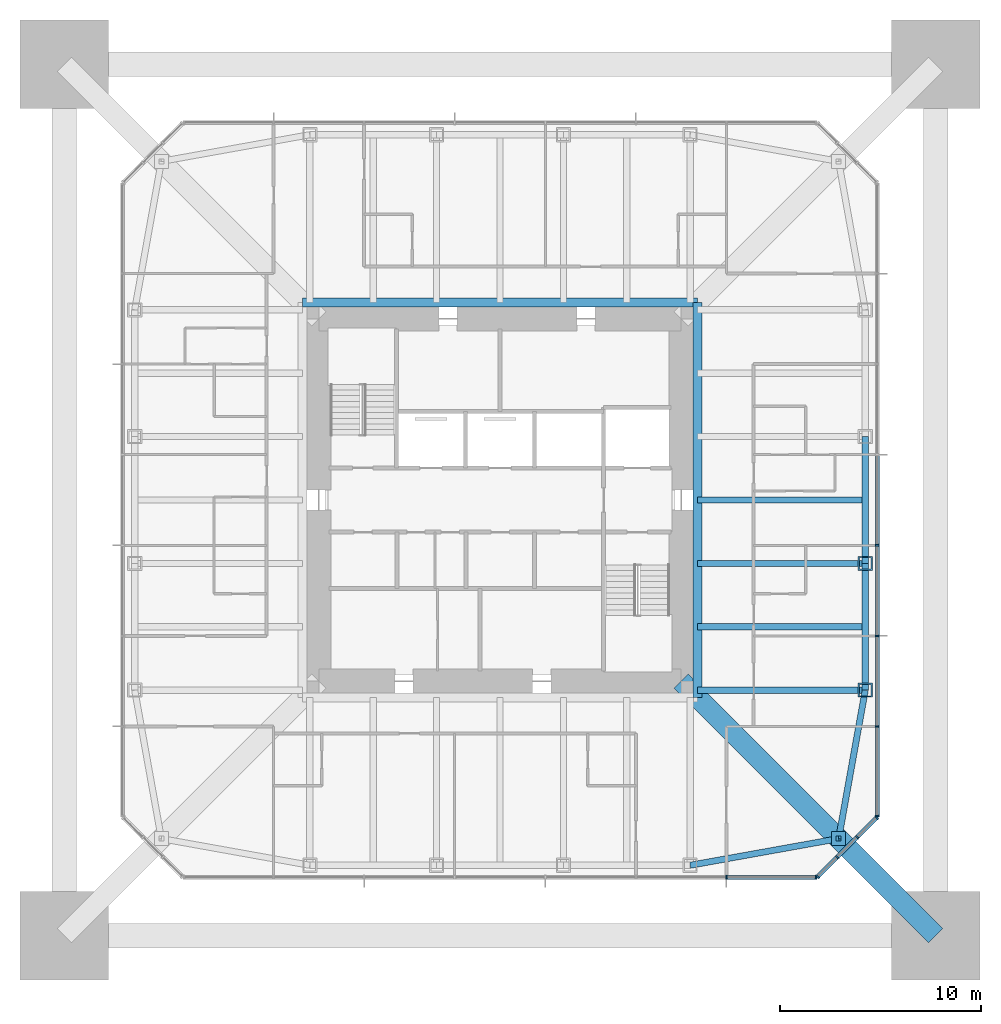
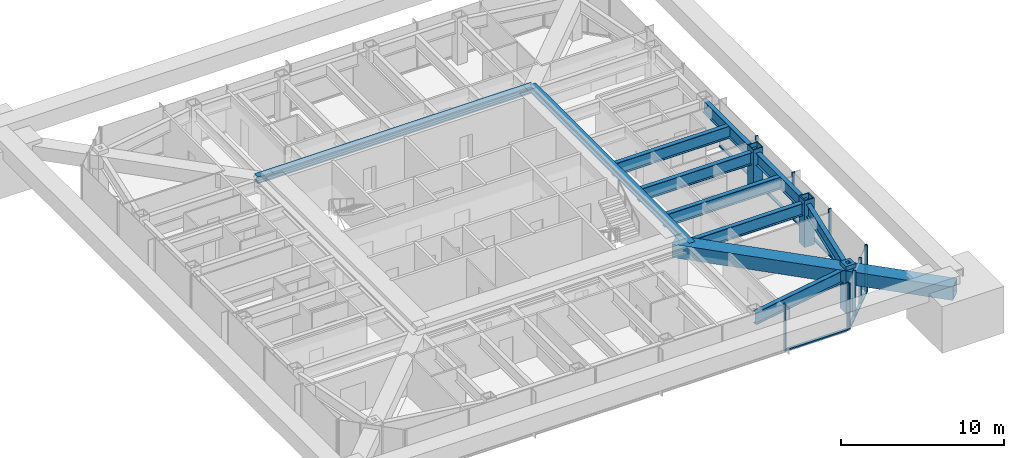
# One storey, part 5 of 15: 23 members, 10 beams, 3 elements without a shape of their own.
"""IFC4 building model written with IfcOpenShell, lengths in metres."""

from ifc_helpers import new_model, si_unit, direction, frame, origin, origin_2d, place, context, subcontext, project, spatial, rectangle, hollow_rectangle, i_section, extrude, material, material_profile, profile_set, type_object, element, aggregate, save


model = new_model("IFC4")

# Units and contexts
model_context = context("Model", 3, precision=1e-05, world=origin(), true_north=direction((0.0, 1.0)))
body_context = subcontext(model_context, "Body", "Model", "MODEL_VIEW")
ifc_project = project(units=[si_unit("LENGTHUNIT", "METRE"), si_unit("AREAUNIT", "SQUARE_METRE"), si_unit("VOLUMEUNIT", "CUBIC_METRE"), si_unit("PLANEANGLEUNIT", "RADIAN"), si_unit("MASSUNIT", "GRAM", prefix="KILO")], contexts=[model_context])

# Site, building, storey
site_placement = place(None, origin())
site = spatial("IfcSite", under=ifc_project, at=site_placement, CompositionType="ELEMENT")
building_placement = place(site_placement, origin())
building = spatial("IfcBuilding", under=site, at=building_placement, Name="Iwan Alto Co-Living Towers", CompositionType="ELEMENT")
storey_placement = place(building_placement, frame((0.0, 0.0, 205.5)))
storey = spatial("IfcBuildingStorey", under=building, at=storey_placement, Name="L56", CompositionType="ELEMENT", Elevation=205.5)

# Curtain wall, members
ifc_material_1 = material(Name="Bronze aluminium unitised frame", Category="aluminium")
curtain_wall_type_1 = type_object("IfcCurtainWallType", Name="CURTAIN WALL CW-A", PredefinedType="NOTDEFINED", material=ifc_material_1)
curtain_wall_1_placement = place(storey_placement, origin())
curtain_wall_1 = element("IfcCurtainWall", 1, at=curtain_wall_1_placement, inside=storey, type_object=curtain_wall_type_1, Name="T1 curtain wall S L56", PredefinedType="NOTDEFINED")
ifc_material_2 = material(Name="Aluminium 6063-T6 bronze anodised", Category="aluminium")
ifc_material_profile_1 = material_profile(ifc_material_2, rectangle(XDim=0.199951171875, YDim=0.080078125, at=origin_2d()), Name="AL 80X200")
ifc_profile_set_1 = profile_set([ifc_material_profile_1], Name="Aluminium 6063-T6 bronze anodised")
member_type_1 = type_object("IfcMemberType", Name="CW-A MULLION 80X200", PredefinedType="MULLION", material=ifc_profile_set_1)
member_1_placement = place(storey_placement, frame((11.25, -18.75, 0.0), z_axis=(0.0, 0.0, 1.0), x_axis=(0.0, 1.0, 0.0)))
member_1 = element("IfcMember", 2, at=member_1_placement, type_object=member_type_1, Name="CW-A mullion 7", PredefinedType="MULLION", context=body_context, shape_type="SweptSolid", body=[
    extrude(rectangle(XDim=0.199951171875, YDim=0.080078125, at=origin_2d()), origin(), (0.0, 0.0, 1.0), 3.5),
])
member_2_placement = place(storey_placement, frame((15.7099609375, -18.75, 0.0), z_axis=(0.0, 0.0, 1.0), x_axis=(0.0, 1.0, 0.0)))
member_2 = element("IfcMember", 3, at=member_2_placement, type_object=member_type_1, Name="CW-A mullion 8", PredefinedType="MULLION", context=body_context, shape_type="SweptSolid", body=[
    extrude(rectangle(XDim=0.199951171875, YDim=0.080078125, at=origin_2d()), origin(), (0.0, 0.0, 1.0), 3.5),
])

curtain_wall_2_placement = place(storey_placement, origin())
curtain_wall_2 = element("IfcCurtainWall", 4, at=curtain_wall_2_placement, inside=storey, type_object=curtain_wall_type_1, Name="T1 curtain wall E L56", PredefinedType="NOTDEFINED")
member_3_placement = place(storey_placement, frame((18.75, -15.7099609375, 0.0), z_axis=(0.0, 0.0, 1.0), x_axis=(-1.0, 0.0, 0.0)))
member_3 = element("IfcMember", 5, at=member_3_placement, type_object=member_type_1, Name="CW-A mullion 1", PredefinedType="MULLION", context=body_context, shape_type="SweptSolid", body=[
    extrude(rectangle(XDim=0.199951171875, YDim=0.080078125, at=origin_2d()), origin(), (0.0, 0.0, 1.0), 3.5),
])
member_4_placement = place(storey_placement, frame((18.75, -11.25, 0.0), z_axis=(0.0, 0.0, 1.0), x_axis=(-1.0, 0.0, 0.0)))
member_4 = element("IfcMember", 6, at=member_4_placement, type_object=member_type_1, Name="CW-A mullion 2", PredefinedType="MULLION", context=body_context, shape_type="SweptSolid", body=[
    extrude(rectangle(XDim=0.199951171875, YDim=0.080078125, at=origin_2d()), origin(), (0.0, 0.0, 1.0), 3.5),
])
member_5_placement = place(storey_placement, frame((18.75, -6.75, 0.0), z_axis=(0.0, 0.0, 1.0), x_axis=(-1.0, 0.0, 0.0)))
member_5 = element("IfcMember", 7, at=member_5_placement, type_object=member_type_1, Name="CW-A mullion 3", PredefinedType="MULLION", context=body_context, shape_type="SweptSolid", body=[
    extrude(rectangle(XDim=0.199951171875, YDim=0.080078125, at=origin_2d()), origin(), (0.0, 0.0, 1.0), 3.5),
])
member_6_placement = place(storey_placement, frame((18.75, -2.25, 0.0), z_axis=(0.0, 0.0, 1.0), x_axis=(-1.0, 0.0, 0.0)))
member_6 = element("IfcMember", 8, at=member_6_placement, type_object=member_type_1, Name="CW-A mullion 4", PredefinedType="MULLION", context=body_context, shape_type="SweptSolid", body=[
    extrude(rectangle(XDim=0.199951171875, YDim=0.080078125, at=origin_2d()), origin(), (0.0, 0.0, 1.0), 3.5),
])

# Member
ifc_material_3 = material(Name="Aluminium 6063-T6 bronze anodised", Category="aluminium")
ifc_material_profile_2 = material_profile(ifc_material_3, rectangle(XDim=0.199951171875, YDim=0.10009765625, at=origin_2d()), Name="AL 200X100")
ifc_profile_set_2 = profile_set([ifc_material_profile_2], Name="Aluminium 6063-T6 bronze anodised")
member_type_2 = type_object("IfcMemberType", Name="CW-A TRANSOM 200X100", PredefinedType="USERDEFINED", material=ifc_profile_set_2)
member_7_placement = place(storey_placement, frame((11.2900390625, -18.75, 0.050048828125), z_axis=(1.0, 0.0, 0.0), x_axis=(0.0, 1.0, 0.0)))
member_7 = element("IfcMember", 9, at=member_7_placement, type_object=member_type_2, Name="CW-A transom 7.1", ObjectType="TRANSOM", PredefinedType="USERDEFINED", context=body_context, shape_type="SweptSolid", body=[
    extrude(rectangle(XDim=0.199951171875, YDim=0.10009765625, at=origin_2d()), origin(), (0.0, 0.0, 1.0), 4.3798828125),
])

aggregate(curtain_wall_1, [member_1, member_2, member_7])

member_8_placement = place(storey_placement, frame((18.75, -15.669921875, 0.050048828125), z_axis=(0.0, 1.0, 0.0), x_axis=(-1.0, 0.0, 0.0)))
member_8 = element("IfcMember", 10, at=member_8_placement, type_object=member_type_2, Name="CW-A transom 1.1", ObjectType="TRANSOM", PredefinedType="USERDEFINED", context=body_context, shape_type="SweptSolid", body=[
    extrude(rectangle(XDim=0.199951171875, YDim=0.10009765625, at=origin_2d()), origin(), (0.0, 0.0, 1.0), 4.3798828125),
])

member_9_placement = place(storey_placement, frame((18.75, -11.2099609375, 0.050048828125), z_axis=(0.0, 1.0, 0.0), x_axis=(-1.0, 0.0, 0.0)))
member_9 = element("IfcMember", 11, at=member_9_placement, type_object=member_type_2, Name="CW-A transom 2.1", ObjectType="TRANSOM", PredefinedType="USERDEFINED", context=body_context, shape_type="SweptSolid", body=[
    extrude(rectangle(XDim=0.199951171875, YDim=0.10009765625, at=origin_2d()), origin(), (0.0, 0.0, 1.0), 4.419921875),
])

member_10_placement = place(storey_placement, frame((18.75, -6.7099609375, 0.050048828125), z_axis=(0.0, 1.0, 0.0), x_axis=(-1.0, 0.0, 0.0)))
member_10 = element("IfcMember", 12, at=member_10_placement, type_object=member_type_2, Name="CW-A transom 3.1", ObjectType="TRANSOM", PredefinedType="USERDEFINED", context=body_context, shape_type="SweptSolid", body=[
    extrude(rectangle(XDim=0.199951171875, YDim=0.10009765625, at=origin_2d()), origin(), (0.0, 0.0, 1.0), 4.419921875),
])

member_11_placement = place(storey_placement, frame((18.75, -2.2099609375, 0.050048828125), z_axis=(0.0, 1.0, 0.0), x_axis=(-1.0, 0.0, 0.0)))
member_11 = element("IfcMember", 13, at=member_11_placement, type_object=member_type_2, Name="CW-A transom 4.1", ObjectType="TRANSOM", PredefinedType="USERDEFINED", context=body_context, shape_type="SweptSolid", body=[
    extrude(rectangle(XDim=0.199951171875, YDim=0.10009765625, at=origin_2d()), origin(), (0.0, 0.0, 1.0), 4.419921875),
])

aggregate(curtain_wall_2, [member_3, member_4, member_5, member_6, member_8, member_9, member_10, member_11])

# Curtain wall, members
ifc_material_4 = material(Name="Bronze aluminium unitised frame", Category="aluminium")
curtain_wall_type_2 = type_object("IfcCurtainWallType", Name="CURTAIN WALL CW-B", PredefinedType="NOTDEFINED", material=ifc_material_4)
curtain_wall_3_placement = place(storey_placement, origin())
curtain_wall_3 = element("IfcCurtainWall", 14, at=curtain_wall_3_placement, inside=storey, type_object=curtain_wall_type_2, Name="T1 chamfer curtain wall SE L56", PredefinedType="NOTDEFINED")
ifc_material_5 = material(Name="Aluminium 6063-T6 bronze anodised", Category="aluminium")
ifc_material_profile_3 = material_profile(ifc_material_5, rectangle(XDim=0.199951171875, YDim=0.080078125, at=origin_2d()), Name="AL 80X200")
ifc_profile_set_3 = profile_set([ifc_material_profile_3], Name="Aluminium 6063-T6 bronze anodised")
member_type_3 = type_object("IfcMemberType", Name="CW-B MULLION 80X200", PredefinedType="MULLION", material=ifc_profile_set_3)
member_12_placement = place(storey_placement, frame((15.7783203125, -18.7216796875, 0.0), z_axis=(0.0, 0.0, 1.0), x_axis=(-0.707106781187, 0.707106781187, 0.0)))
member_12 = element("IfcMember", 15, at=member_12_placement, type_object=member_type_3, Name="CW-B mullion 1", PredefinedType="MULLION", context=body_context, shape_type="SweptSolid", body=[
    extrude(rectangle(XDim=0.199951171875, YDim=0.080078125, at=origin_2d()), origin(), (0.0, 0.0, 1.0), 3.5),
])
member_13_placement = place(storey_placement, frame((16.75, -17.75, 0.0), z_axis=(0.0, 0.0, 1.0), x_axis=(-0.707106781187, 0.707106781187, 0.0)))
member_13 = element("IfcMember", 16, at=member_13_placement, type_object=member_type_3, Name="CW-B mullion 2", PredefinedType="MULLION", context=body_context, shape_type="SweptSolid", body=[
    extrude(rectangle(XDim=0.199951171875, YDim=0.080078125, at=origin_2d()), origin(), (0.0, 0.0, 1.0), 3.5),
])
member_14_placement = place(storey_placement, frame((17.75, -16.75, 0.0), z_axis=(0.0, 0.0, 1.0), x_axis=(-0.707106781187, 0.707106781187, 0.0)))
member_14 = element("IfcMember", 17, at=member_14_placement, type_object=member_type_3, Name="CW-B mullion 3", PredefinedType="MULLION", context=body_context, shape_type="SweptSolid", body=[
    extrude(rectangle(XDim=0.199951171875, YDim=0.080078125, at=origin_2d()), origin(), (0.0, 0.0, 1.0), 3.5),
])
member_15_placement = place(storey_placement, frame((18.7216796875, -15.7783203125, 0.0), z_axis=(0.0, 0.0, 1.0), x_axis=(-0.707106781187, 0.707106781187, 0.0)))
member_15 = element("IfcMember", 18, at=member_15_placement, type_object=member_type_3, Name="CW-B mullion 4", PredefinedType="MULLION", context=body_context, shape_type="SweptSolid", body=[
    extrude(rectangle(XDim=0.199951171875, YDim=0.080078125, at=origin_2d()), origin(), (0.0, 0.0, 1.0), 3.5),
])
ifc_material_6 = material(Name="Aluminium 6063-T6 bronze anodised", Category="aluminium")
ifc_material_profile_4 = material_profile(ifc_material_6, rectangle(XDim=0.199951171875, YDim=0.10009765625, at=origin_2d()), Name="AL 200X100")
ifc_profile_set_4 = profile_set([ifc_material_profile_4], Name="Aluminium 6063-T6 bronze anodised")
member_type_4 = type_object("IfcMemberType", Name="CW-B TRANSOM 200X100", PredefinedType="USERDEFINED", material=ifc_profile_set_4)
member_16_placement = place(storey_placement, frame((15.806640625, -18.693359375, 0.050048828125), z_axis=(0.707106781187, 0.707106781187, 0.0), x_axis=(-0.707106781187, 0.707106781187, 0.0)))
member_16 = element("IfcMember", 19, at=member_16_placement, type_object=member_type_4, Name="CW-B transom 1.1", ObjectType="TRANSOM", PredefinedType="USERDEFINED", context=body_context, shape_type="SweptSolid", body=[
    extrude(rectangle(XDim=0.199951171875, YDim=0.10009765625, at=origin_2d()), origin(), (0.0, 0.0, 1.0), 1.2939453125),
])
member_17_placement = place(storey_placement, frame((16.7783203125, -17.7216796875, 0.050048828125), z_axis=(0.707106781187, 0.707106781187, 0.0), x_axis=(-0.707106781187, 0.707106781187, 0.0)))
member_17 = element("IfcMember", 20, at=member_17_placement, type_object=member_type_4, Name="CW-B transom 2.1", ObjectType="TRANSOM", PredefinedType="USERDEFINED", context=body_context, shape_type="SweptSolid", body=[
    extrude(rectangle(XDim=0.199951171875, YDim=0.10009765625, at=origin_2d()), origin(), (0.0, 0.0, 1.0), 1.334228515625),
])
member_18_placement = place(storey_placement, frame((17.7783203125, -16.7216796875, 0.050048828125), z_axis=(0.707106781187, 0.707106781187, 0.0), x_axis=(-0.707106781187, 0.707106781187, 0.0)))
member_18 = element("IfcMember", 21, at=member_18_placement, type_object=member_type_4, Name="CW-B transom 3.1", ObjectType="TRANSOM", PredefinedType="USERDEFINED", context=body_context, shape_type="SweptSolid", body=[
    extrude(rectangle(XDim=0.199951171875, YDim=0.10009765625, at=origin_2d()), origin(), (0.0, 0.0, 1.0), 1.2939453125),
])
aggregate(curtain_wall_3, [member_12, member_13, member_14, member_15, member_16, member_17, member_18])

# Beams
ifc_material_7 = material(Name="Steel ASTM A992 Gr 50", Category="steel")
ifc_material_profile_5 = material_profile(ifc_material_7, i_section(OverallWidth=0.307373046875, OverallDepth=0.927001953125, WebThickness=0.01953125, FlangeThickness=0.031982421875, at=origin_2d()), Name="W36X194")
ifc_profile_set_5 = profile_set([ifc_material_profile_5], Name="Steel ASTM A992 Gr 50")
beam_type_1 = type_object("IfcBeamType", Name="T1 BELT TRUSS CHORD W36X194", PredefinedType="BEAM", material=ifc_profile_set_5)
for number, where, z_axis, x_axis, name in (
    (22, (9.449951171875, -18.14990234375, 2.736328125), (0.98426263553, 0.17671181143, 0.0), (-0.17671181143, 0.98426263553, 0.0), "T1 edge beam S4 L57"),
    (23, (16.82568359375, -16.82568359375, 2.736328125), (0.17671181143, 0.98426263553, 0.0), (-0.98426263553, 0.17671181143, 0.0), "T1 edge beam CSE L57"),
):
    element("IfcBeam", number, at=place(storey_placement, frame(where, z_axis=z_axis, x_axis=x_axis)), inside=storey, type_object=beam_type_1, Name=name, PredefinedType="BEAM", context=body_context, shape_type="SweptSolid", body=[
        extrude(i_section(OverallWidth=0.307373046875, OverallDepth=0.927001953125, WebThickness=0.01953125, FlangeThickness=0.031982421875, at=origin_2d()), origin(), (0.0, 0.0, 1.0), 7.49365234375),
    ])
beam_1_placement = place(storey_placement, frame((18.14990234375, -9.449951171875, 2.736328125), z_axis=(0.0, 1.0, 0.0), x_axis=(-1.0, 0.0, 0.0)))
element("IfcBeam", 24, at=beam_1_placement, inside=storey, type_object=beam_type_1, Name="T1 edge beam E1 L57", PredefinedType="BEAM", context=body_context, shape_type="SweptSolid", body=[
    extrude(i_section(OverallWidth=0.307373046875, OverallDepth=0.927001953125, WebThickness=0.01953125, FlangeThickness=0.031982421875, at=origin_2d()), origin(), (0.0, 0.0, 1.0), 6.300048828125),
])
beam_2_placement = place(storey_placement, frame((18.14990234375, -3.14990234375, 2.736328125), z_axis=(0.0, 1.0, 0.0), x_axis=(-1.0, 0.0, 0.0)))
element("IfcBeam", 25, at=beam_2_placement, inside=storey, type_object=beam_type_1, Name="T1 edge beam E2 L57", PredefinedType="BEAM", context=body_context, shape_type="SweptSolid", body=[
    extrude(i_section(OverallWidth=0.307373046875, OverallDepth=0.927001953125, WebThickness=0.01953125, FlangeThickness=0.031982421875, at=origin_2d()), origin(), (0.0, 0.0, 1.0), 6.2998046875),
])
ifc_material_8 = material(Name="Steel ASTM A992 Gr 50", Category="steel")
ifc_material_profile_6 = material_profile(ifc_material_8, i_section(OverallWidth=0.436767578125, OverallDepth=0.51318359375, WebThickness=0.060546875, FlangeThickness=0.096923828125, at=origin_2d()), Name="W14X550")
ifc_profile_set_6 = profile_set([ifc_material_profile_6], Name="Steel ASTM A992 Gr 50")
beam_type_2 = type_object("IfcBeamType", Name="T1 CORE LEDGER BEAM W14X550", PredefinedType="BEAM", material=ifc_profile_set_6)
for number, where, z_axis, x_axis, name in (
    (26, (9.818359375, -9.818359375, 2.943359375), (0.0, 1.0, 0.0), (-1.0, 0.0, 0.0), "T1 core ledger beam E L57"),
    (27, (9.818359375, 9.818359375, 2.943359375), (-1.0, 0.0, 0.0), (0.0, -1.0, 0.0), "T1 core ledger beam N L57"),
):
    element("IfcBeam", number, at=place(storey_placement, frame(where, z_axis=z_axis, x_axis=x_axis)), inside=storey, type_object=beam_type_2, Name=name, PredefinedType="BEAM", context=body_context, shape_type="SweptSolid", body=[
        extrude(i_section(OverallWidth=0.436767578125, OverallDepth=0.51318359375, WebThickness=0.060546875, FlangeThickness=0.096923828125, at=origin_2d()), origin(), (0.0, 0.0, 1.0), 19.63671875),
    ])

# Members
ifc_material_9 = material(Name="Steel ASTM A36", Category="steel")
ifc_material_profile_7 = material_profile(ifc_material_9, hollow_rectangle(XDim=0.699951171875, YDim=0.699951171875, WallThickness=0.219970703125, at=origin_2d()), Name="BOX 700X700X220")
ifc_profile_set_7 = profile_set([ifc_material_profile_7], Name="Steel ASTM A36")
member_type_5 = type_object("IfcMemberType", Name="T1 HEAVY RING POST AT STEP BOX 700X700X220", PredefinedType="MEMBER", material=ifc_profile_set_7)
member_19_placement = place(storey_placement, frame((16.82568359375, -16.82568359375, 0.0), z_axis=(0.0, 0.0, 1.0), x_axis=(1.0, 0.0, 0.0)))
element("IfcMember", 28, at=member_19_placement, inside=storey, type_object=member_type_5, Name="T1 ring post at step CSE L56", PredefinedType="MEMBER", context=body_context, shape_type="SweptSolid", body=[
    extrude(hollow_rectangle(XDim=0.699951171875, YDim=0.699951171875, WallThickness=0.219970703125, at=origin_2d()), origin(), (0.0, 0.0, 1.0), 3.5),
])
ifc_material_10 = material(Name="Steel ASTM A572 Gr 50", Category="steel")
ifc_material_profile_8 = material_profile(ifc_material_10, hollow_rectangle(XDim=1.0, YDim=1.0, WallThickness=0.070068359375, at=origin_2d()), Name="BOX 1000X1000X70")
ifc_profile_set_8 = profile_set([ifc_material_profile_8], Name="Steel ASTM A572 Gr 50")
member_type_6 = type_object("IfcMemberType", Name="T1 OUTRIGGER CHORD BOX 1000X1000X70", PredefinedType="CHORD", material=ifc_profile_set_8)
member_20_placement = place(storey_placement, frame((9.0, -9.0, 2.699951171875), z_axis=(0.707106781187, -0.707106781187, 0.0), x_axis=(0.707106781187, 0.707106781187, 0.0)))
element("IfcMember", 29, at=member_20_placement, inside=storey, type_object=member_type_6, Name="T1 outrigger SE L57 bottom chord 1", PredefinedType="CHORD", context=body_context, shape_type="SweptSolid", body=[
    extrude(hollow_rectangle(XDim=1.0, YDim=1.0, WallThickness=0.070068359375, at=origin_2d()), origin(), (0.0, 0.0, 1.0), 11.067138671875),
])
member_21_placement = place(storey_placement, frame((16.82568359375, -16.82568359375, 2.699951171875), z_axis=(0.707106781187, -0.707106781187, 0.0), x_axis=(0.707106781187, 0.707106781187, 0.0)))
element("IfcMember", 30, at=member_21_placement, inside=storey, type_object=member_type_6, Name="T1 outrigger SE L57 bottom chord 2", PredefinedType="CHORD", context=body_context, shape_type="SweptSolid", body=[
    extrude(hollow_rectangle(XDim=1.0, YDim=1.0, WallThickness=0.070068359375, at=origin_2d()), origin(), (0.0, 0.0, 1.0), 6.822509765625),
])

# Beams
ifc_material_11 = material(Name="Steel ASTM A992 Gr 50", Category="steel")
ifc_material_profile_9 = material_profile(ifc_material_11, i_section(OverallWidth=0.307373046875, OverallDepth=0.927001953125, WebThickness=0.01953125, FlangeThickness=0.031982421875, at=origin_2d()), Name="W36X194")
ifc_profile_set_9 = profile_set([ifc_material_profile_9], Name="Steel ASTM A992 Gr 50")
beam_type_3 = type_object("IfcBeamType", Name="T1 RADIAL BEAM W36X194", PredefinedType="BEAM", material=ifc_profile_set_9)
for number, where, z_axis, x_axis, name in (
    (31, (18.14990234375, -9.449951171875, 2.736328125), (-1.0, 0.0, 0.0), (0.0, -1.0, 0.0), "T1 radial beam E1 L57"),
    (32, (18.14990234375, -3.14990234375, 2.736328125), (-1.0, 0.0, 0.0), (0.0, -1.0, 0.0), "T1 radial beam E2 L57"),
):
    element("IfcBeam", number, at=place(storey_placement, frame(where, z_axis=z_axis, x_axis=x_axis)), inside=storey, type_object=beam_type_3, Name=name, PredefinedType="BEAM", context=body_context, shape_type="SweptSolid", body=[
        extrude(i_section(OverallWidth=0.307373046875, OverallDepth=0.927001953125, WebThickness=0.01953125, FlangeThickness=0.031982421875, at=origin_2d()), origin(), (0.0, 0.0, 1.0), 8.33154296875),
    ])

# Members
ifc_material_12 = material(Name="Steel ASTM A572 Gr 50", Category="steel")
ifc_material_profile_10 = material_profile(ifc_material_12, hollow_rectangle(XDim=0.699951171875, YDim=0.699951171875, WallThickness=0.06005859375, at=origin_2d()), Name="BOX 700X700X60")
ifc_profile_set_10 = profile_set([ifc_material_profile_10], Name="Steel ASTM A572 Gr 50")
member_type_7 = type_object("IfcMemberType", Name="T1 RING POST AT STEP BOX 700X700X60", PredefinedType="MEMBER", material=ifc_profile_set_10)
for number, where, z_axis, x_axis, name in (
    (33, (18.14990234375, -9.449951171875, 0.0), (0.0, 0.0, 1.0), (1.0, 0.0, 0.0), "T1 ring post at step E1 L56"),
    (34, (18.14990234375, -3.14990234375, 0.0), (0.0, 0.0, 1.0), (1.0, 0.0, 0.0), "T1 ring post at step E2 L56"),
):
    element("IfcMember", number, at=place(storey_placement, frame(where, z_axis=z_axis, x_axis=x_axis)), inside=storey, type_object=member_type_7, Name=name, PredefinedType="MEMBER", context=body_context, shape_type="SweptSolid", body=[
        extrude(hollow_rectangle(XDim=0.699951171875, YDim=0.699951171875, WallThickness=0.06005859375, at=origin_2d()), origin(), (0.0, 0.0, 1.0), 3.5),
    ])

# Beams
ifc_material_13 = material(Name="Steel ASTM A992 Gr 50", Category="steel")
ifc_material_profile_11 = material_profile(ifc_material_13, i_section(OverallWidth=0.307373046875, OverallDepth=0.927001953125, WebThickness=0.01953125, FlangeThickness=0.031982421875, at=origin_2d()), Name="W36X194")
ifc_profile_set_11 = profile_set([ifc_material_profile_11], Name="Steel ASTM A992 Gr 50")
beam_type_4 = type_object("IfcBeamType", Name="T1 SECONDARY BEAM W36X194", PredefinedType="JOIST", material=ifc_profile_set_11)
for number, where, z_axis, x_axis, name in (
    (35, (18.14990234375, -6.300048828125, 2.736328125), (-1.0, 0.0, 0.0), (0.0, -1.0, 0.0), "T1 secondary beam E1 L57"),
    (36, (18.14990234375, 0.0, 2.736328125), (-1.0, 0.0, 0.0), (0.0, -1.0, 0.0), "T1 secondary beam E2 L57"),
):
    element("IfcBeam", number, at=place(storey_placement, frame(where, z_axis=z_axis, x_axis=x_axis)), inside=storey, type_object=beam_type_4, Name=name, PredefinedType="JOIST", context=body_context, shape_type="SweptSolid", body=[
        extrude(i_section(OverallWidth=0.307373046875, OverallDepth=0.927001953125, WebThickness=0.01953125, FlangeThickness=0.031982421875, at=origin_2d()), origin(), (0.0, 0.0, 1.0), 8.33154296875),
    ])

save(model, "model.ifc")
